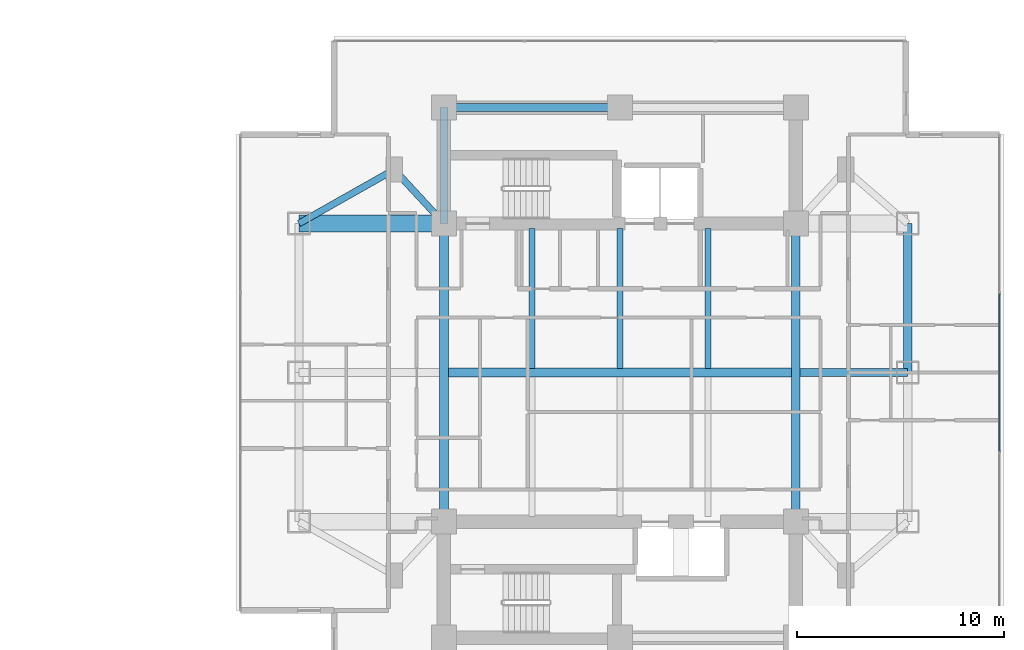
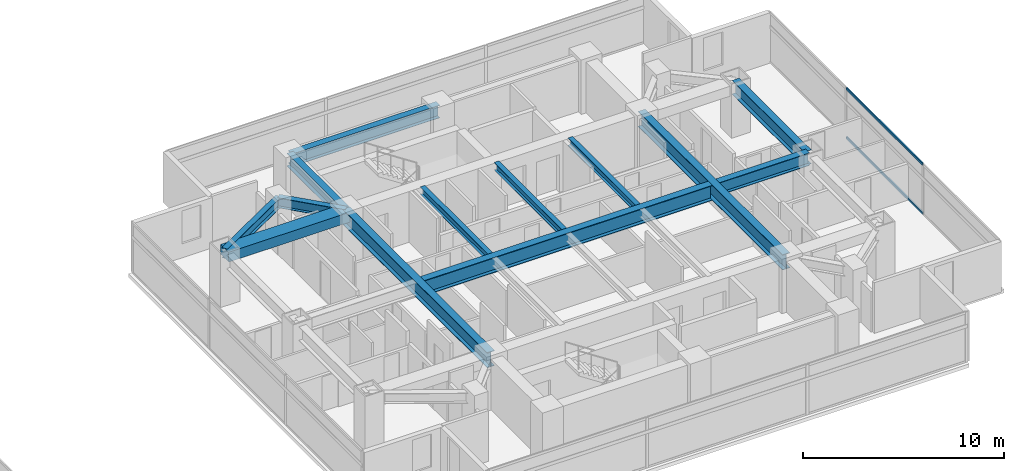
# One storey, part 9 of 25: 13 beams, 2 members, 1 element without a shape of its own.
"""IFC4 building model written with IfcOpenShell, lengths in metres."""

from ifc_helpers import new_model, si_unit, direction, frame, origin, origin_2d, place, context, subcontext, project, spatial, rectangle, i_section, extrude, material, material_profile, profile_set, type_object, element, aggregate, save


model = new_model("IFC4")

# Units and contexts
model_context = context("Model", 3, precision=1e-05, world=origin(), true_north=direction((0.0, 1.0)))
body_context = subcontext(model_context, "Body", "Model", "MODEL_VIEW")
ifc_project = project(units=[si_unit("LENGTHUNIT", "METRE"), si_unit("AREAUNIT", "SQUARE_METRE"), si_unit("VOLUMEUNIT", "CUBIC_METRE"), si_unit("PLANEANGLEUNIT", "RADIAN"), si_unit("MASSUNIT", "GRAM", prefix="KILO")], contexts=[model_context])

# Site, building, storey
site_placement = place(None, origin())
site = spatial("IfcSite", under=ifc_project, at=site_placement, CompositionType="ELEMENT")
building_placement = place(site_placement, origin())
building = spatial("IfcBuilding", under=site, at=building_placement, Name="Mirazonda Arch Towers", CompositionType="ELEMENT")
storey_placement = place(building_placement, frame((0.0, 0.0, 104.89990234375)))
storey = spatial("IfcBuildingStorey", under=building, at=storey_placement, Name="L29", CompositionType="ELEMENT", Elevation=104.89990234375)

# Beams
ifc_material_1 = material(Name="Steel ASTM A992 Grade 50", Category="steel")
ifc_material_profile_1 = material_profile(ifc_material_1, i_section(OverallWidth=0.39990234375, OverallDepth=0.85595703125, WebThickness=0.018310546875, FlangeThickness=0.029296875, at=origin_2d()), Name="W33X201")
ifc_profile_set_1 = profile_set([ifc_material_profile_1], Name="Steel ASTM A992 Grade 50")
beam_type_1 = type_object("IfcBeamType", Name="BM-EXT-W33X201", PredefinedType="USERDEFINED", material=ifc_profile_set_1)
beam_1_placement = place(storey_placement, frame((90.39990234375, 28.0, 2.652099609375), z_axis=(0.0, 1.0, 0.0), x_axis=(-1.0, 0.0, 0.0)))
element("IfcBeam", 1, at=beam_1_placement, inside=storey, type_object=beam_type_1, Name="L29 Floor Beam BM-T2-L29-NS-E-28", ObjectType="GIRDER", PredefinedType="USERDEFINED", context=body_context, shape_type="SweptSolid", body=[
    extrude(i_section(OverallWidth=0.39990234375, OverallDepth=0.85595703125, WebThickness=0.018310546875, FlangeThickness=0.029296875, at=origin_2d()), origin(), (0.0, 0.0, 1.0), 7.199951171875),
])
ifc_material_profile_2 = material_profile(ifc_material_1, i_section(OverallWidth=0.280029296875, OverallDepth=0.462890625, WebThickness=0.0107421875, FlangeThickness=0.017333984375, at=origin_2d()), Name="W18X76")
ifc_profile_set_2 = profile_set([ifc_material_profile_2], Name="Steel ASTM A992 Grade 50")
beam_type_2 = type_object("IfcBeamType", Name="BM-INT-W18X76", PredefinedType="JOIST", material=ifc_profile_set_2)
for number, where, z_axis, x_axis, name in (
    (2, (72.25, 28.205078125, 2.8486328125), (0.0, 1.0, 0.0), (-1.0, 0.0, 0.0), "L29 Floor Beam BM-T2-L29-J-722-28"),
    (3, (76.5, 28.205078125, 2.8486328125), (0.0, 1.0, 0.0), (-1.0, 0.0, 0.0), "L29 Floor Beam BM-T2-L29-J-765-28"),
    (4, (80.75, 28.205078125, 2.8486328125), (0.0, 1.0, 0.0), (-1.0, 0.0, 0.0), "L29 Floor Beam BM-T2-L29-J-807-28"),
):
    element("IfcBeam", number, at=place(storey_placement, frame(where, z_axis=z_axis, x_axis=x_axis)), inside=storey, type_object=beam_type_2, Name=name, PredefinedType="JOIST", context=body_context, shape_type="SweptSolid", body=[
        extrude(i_section(OverallWidth=0.280029296875, OverallDepth=0.462890625, WebThickness=0.0107421875, FlangeThickness=0.017333984375, at=origin_2d()), origin(), (0.0, 0.0, 1.0), 6.7548828125),
    ])
ifc_material_profile_3 = material_profile(ifc_material_1, i_section(OverallWidth=0.324951171875, OverallDepth=0.615966796875, WebThickness=0.013916015625, FlangeThickness=0.021484375, at=origin_2d()), Name="W24X117")
ifc_profile_set_3 = profile_set([ifc_material_profile_3], Name="Steel ASTM A992 Grade 50")
beam_type_3 = type_object("IfcBeamType", Name="BM-INT-W24X117", PredefinedType="BEAM", material=ifc_profile_set_3)
beam_2_placement = place(storey_placement, frame((65.60009765625, 37.800048828125, 2.772216796875), z_axis=(0.678251444854, -0.734829897019, 0.0), x_axis=(0.734829897019, 0.678251444854, 0.0)))
element("IfcBeam", 5, at=beam_2_placement, inside=storey, type_object=beam_type_3, Name="L29 Floor Beam BM-T2-L29-PL-NW1", PredefinedType="BEAM", context=body_context, shape_type="SweptSolid", body=[
    extrude(i_section(OverallWidth=0.324951171875, OverallDepth=0.615966796875, WebThickness=0.013916015625, FlangeThickness=0.021484375, at=origin_2d()), origin(), (0.0, 0.0, 1.0), 3.538330078125),
])
beam_3_placement = place(storey_placement, frame((65.60009765625, 37.800048828125, 2.772216796875), z_axis=(-0.870559396632, -0.492063346467, 0.0), x_axis=(0.492063346467, -0.870559396632, 0.0)))
element("IfcBeam", 6, at=beam_3_placement, inside=storey, type_object=beam_type_3, Name="L29 Floor Beam BM-T2-L29-PL-NW2", PredefinedType="BEAM", context=body_context, shape_type="SweptSolid", body=[
    extrude(i_section(OverallWidth=0.324951171875, OverallDepth=0.615966796875, WebThickness=0.013916015625, FlangeThickness=0.021484375, at=origin_2d()), origin(), (0.0, 0.0, 1.0), 5.2841796875),
])
ifc_material_profile_4 = material_profile(ifc_material_1, i_section(OverallWidth=0.381103515625, OverallDepth=0.77294921875, WebThickness=0.0166015625, FlangeThickness=0.027099609375, at=origin_2d()), Name="W30X173")
ifc_profile_set_4 = profile_set([ifc_material_profile_4], Name="Steel ASTM A992 Grade 50")
beam_type_4 = type_object("IfcBeamType", Name="BM-INT-W30X173", PredefinedType="USERDEFINED", material=ifc_profile_set_4)
beam_4_placement = place(storey_placement, frame((68.0, 40.800048828125, 2.693603515625), z_axis=(1.0, 0.0, 0.0), x_axis=(0.0, 1.0, 0.0)))
element("IfcBeam", 7, at=beam_4_placement, inside=storey, type_object=beam_type_4, Name="L29 Floor Beam BM-T2-L29-CN1", ObjectType="GIRDER", PredefinedType="USERDEFINED", context=body_context, shape_type="SweptSolid", body=[
    extrude(i_section(OverallWidth=0.381103515625, OverallDepth=0.77294921875, WebThickness=0.0166015625, FlangeThickness=0.027099609375, at=origin_2d()), origin(), (0.0, 0.0, 1.0), 8.5),
])
beam_5_placement = place(storey_placement, frame((68.0, 35.199951171875, 2.693603515625), z_axis=(0.0, 1.0, 0.0), x_axis=(-1.0, 0.0, 0.0)))
element("IfcBeam", 8, at=beam_5_placement, inside=storey, type_object=beam_type_4, Name="L29 Floor Beam BM-T2-L29-CNW", ObjectType="GIRDER", PredefinedType="USERDEFINED", context=body_context, shape_type="SweptSolid", body=[
    extrude(i_section(OverallWidth=0.381103515625, OverallDepth=0.77294921875, WebThickness=0.0166015625, FlangeThickness=0.027099609375, at=origin_2d()), origin(), (0.0, 0.0, 1.0), 5.60009765625),
])
beam_6_placement = place(storey_placement, frame((85.208984375, 28.0, 2.693603515625), z_axis=(1.0, 0.0, 0.0), x_axis=(0.0, 1.0, 0.0)))
element("IfcBeam", 9, at=beam_6_placement, inside=storey, type_object=beam_type_4, Name="L29 Floor Beam BM-T2-L29-GE2", ObjectType="GIRDER", PredefinedType="USERDEFINED", context=body_context, shape_type="SweptSolid", body=[
    extrude(i_section(OverallWidth=0.381103515625, OverallDepth=0.77294921875, WebThickness=0.0166015625, FlangeThickness=0.027099609375, at=origin_2d()), origin(), (0.0, 0.0, 1.0), 5.19091796875),
])
ifc_material_profile_5 = material_profile(ifc_material_1, i_section(OverallWidth=0.41796875, OverallDepth=0.927001953125, WebThickness=0.019287109375, FlangeThickness=0.031982421875, at=origin_2d()), Name="W36X231")
ifc_profile_set_5 = profile_set([ifc_material_profile_5], Name="Steel ASTM A992 Grade 50")
beam_type_5 = type_object("IfcBeamType", Name="BM-INT-W36X231", PredefinedType="USERDEFINED", material=ifc_profile_set_5)
beam_7_placement = place(storey_placement, frame((68.208984375, 28.0, 2.61669921875), z_axis=(1.0, 0.0, 0.0), x_axis=(0.0, 1.0, 0.0)))
element("IfcBeam", 10, at=beam_7_placement, inside=storey, type_object=beam_type_5, Name="L29 Floor Beam BM-T2-L29-GC2", ObjectType="GIRDER", PredefinedType="USERDEFINED", context=body_context, shape_type="SweptSolid", body=[
    extrude(i_section(OverallWidth=0.41796875, OverallDepth=0.927001953125, WebThickness=0.019287109375, FlangeThickness=0.031982421875, at=origin_2d()), origin(), (0.0, 0.0, 1.0), 16.58203125),
])
for number, where, z_axis, x_axis, name in (
    (11, (68.0, 20.800048828125, 2.61669921875), (0.0, 1.0, 0.0), (-1.0, 0.0, 0.0), "L29 Floor Beam BM-T2-L29-NS-CW-FULL"),
    (12, (85.0, 20.800048828125, 2.61669921875), (0.0, 1.0, 0.0), (-1.0, 0.0, 0.0), "L29 Floor Beam BM-T2-L29-NS-CE-FULL"),
):
    element("IfcBeam", number, at=place(storey_placement, frame(where, z_axis=z_axis, x_axis=x_axis)), inside=storey, type_object=beam_type_5, Name=name, ObjectType="GIRDER", PredefinedType="USERDEFINED", context=body_context, shape_type="SweptSolid", body=[
        extrude(i_section(OverallWidth=0.41796875, OverallDepth=0.927001953125, WebThickness=0.019287109375, FlangeThickness=0.031982421875, at=origin_2d()), origin(), (0.0, 0.0, 1.0), 14.39990234375),
    ])
ifc_material_2 = material(Name="Concrete C60/75", Category="concrete")
ifc_material_profile_6 = material_profile(ifc_material_2, rectangle(XDim=0.800048828125, YDim=0.60009765625, at=origin_2d()), Name="RCCB800x600")
ifc_profile_set_6 = profile_set([ifc_material_profile_6], Name="Concrete C60/75")
beam_type_6 = type_object("IfcBeamType", Name="CB-INT-RCCB800x600", PredefinedType="SPANDREL", material=ifc_profile_set_6)
beam_8_placement = place(storey_placement, frame((61.0, 35.199951171875, 2.780029296875), z_axis=(1.0, 0.0, 0.0), x_axis=(0.0, 1.0, 0.0)))
element("IfcBeam", 13, at=beam_8_placement, inside=storey, type_object=beam_type_6, Name="L29 Floor Beam CBC-T2-L29-NW", PredefinedType="SPANDREL", context=body_context, shape_type="SweptSolid", body=[
    extrude(rectangle(XDim=0.800048828125, YDim=0.60009765625, at=origin_2d()), origin(), (0.0, 0.0, 1.0), 7.0),
])

# Curtain wall, members
ifc_material_3 = material(Name="Anodised Aluminium and Low-E Glass", Category="aluminium")
curtain_wall_type = type_object("IfcCurtainWallType", Name="CW-HTL-UNIT", PredefinedType="NOTDEFINED", material=ifc_material_3)
curtain_wall_placement = place(storey_placement, origin())
curtain_wall = element("IfcCurtainWall", 14, at=curtain_wall_placement, inside=storey, type_object=curtain_wall_type, Name="L29 T2 E Facade CW-L29-T2-E", PredefinedType="NOTDEFINED")
ifc_material_4 = material(Name="Anodised Aluminium Alloy", Category="aluminium")
ifc_material_profile_7 = material_profile(ifc_material_4, rectangle(XDim=0.074951171875, YDim=0.14501953125, at=origin_2d()), Name="ALU-TRAN-75x145")
ifc_profile_set_7 = profile_set([ifc_material_profile_7], Name="Anodised Aluminium Alloy")
member_type = type_object("IfcMemberType", Name="TRAN-CW-HTL-UNIT", PredefinedType="USERDEFINED", material=ifc_profile_set_7)
member_1_placement = place(storey_placement, frame((94.83251953125, 24.204833984375, 0.03759765625), z_axis=(0.0, 1.0, 0.0), x_axis=(-1.0, 0.0, 0.0)))
member_1 = element("IfcMember", 15, at=member_1_placement, type_object=member_type, Name="CW-112 transom 2.1", ObjectType="TRANSOM", PredefinedType="USERDEFINED", context=body_context, shape_type="SweptSolid", body=[
    extrude(rectangle(XDim=0.074951171875, YDim=0.14501953125, at=origin_2d()), origin(), (0.0, 0.0, 1.0), 7.59033203125),
])
member_2_placement = place(storey_placement, frame((94.83251953125, 24.204833984375, 3.022705078125), z_axis=(0.0, 1.0, 0.0), x_axis=(-1.0, 0.0, 0.0)))
member_2 = element("IfcMember", 16, at=member_2_placement, type_object=member_type, Name="CW-112 transom 2.2", ObjectType="TRANSOM", PredefinedType="USERDEFINED", context=body_context, shape_type="SweptSolid", body=[
    extrude(rectangle(XDim=0.074951171875, YDim=0.14501953125, at=origin_2d()), origin(), (0.0, 0.0, 1.0), 7.59033203125),
])
aggregate(curtain_wall, [member_1, member_2])

save(model, "model.ifc")
